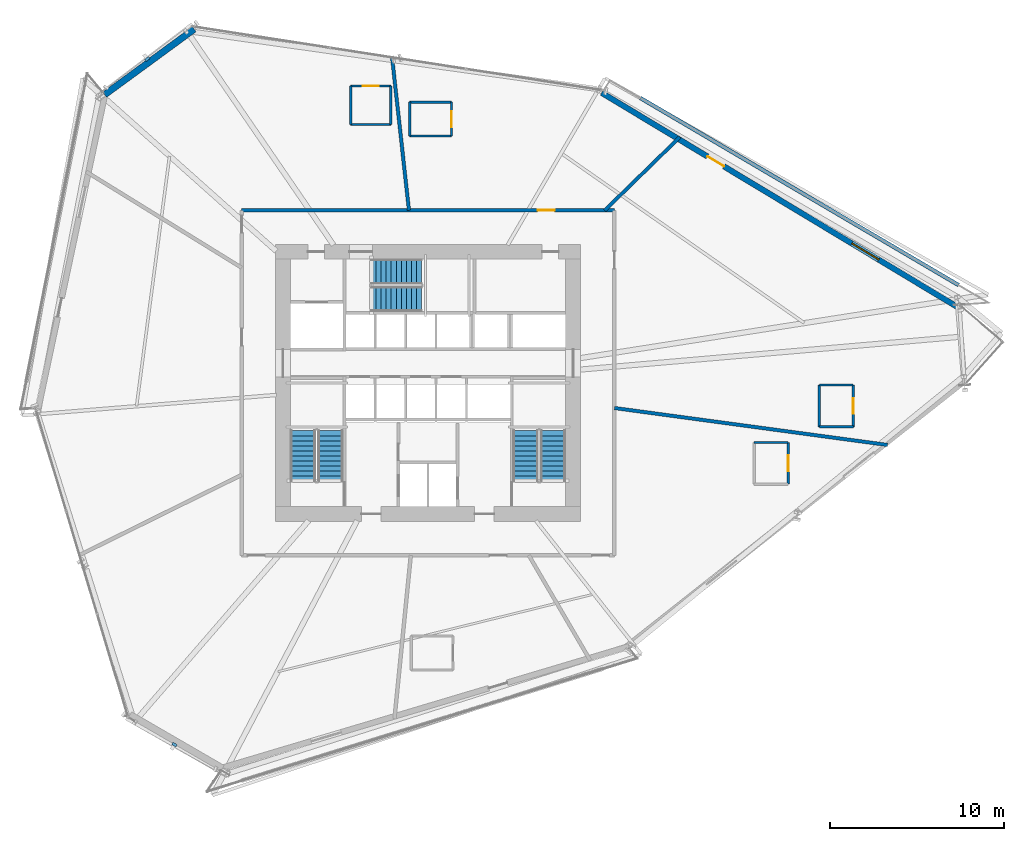
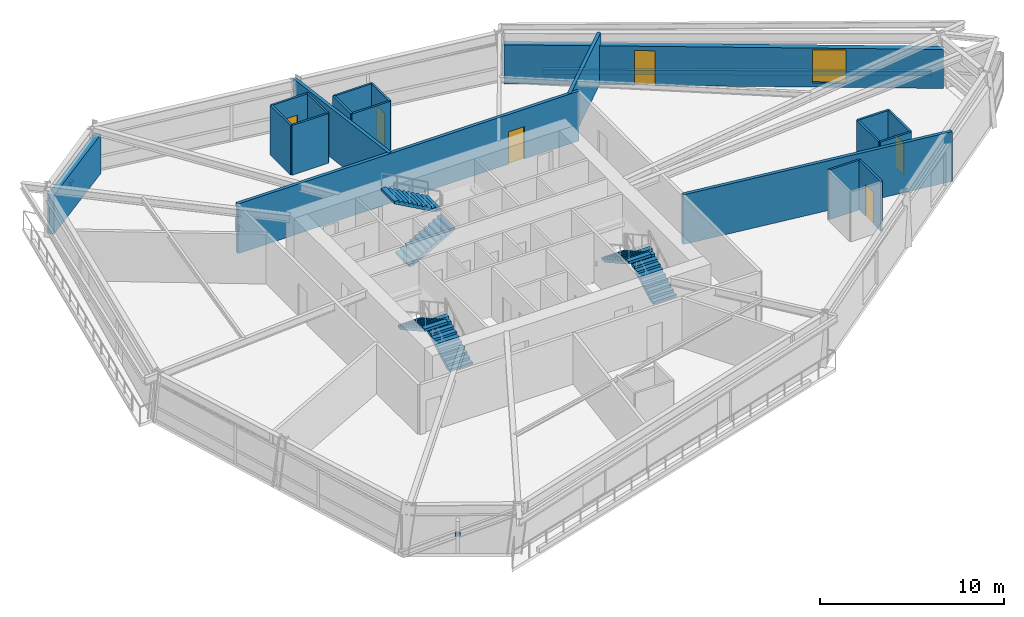
# One storey, part 19 of 22: 21 walls, 6 doors, 6 stair flights, 2 discrete accessories, 1 window, 7 openings, 3 elements without a shape of their own.
"""IFC4 building model written with IfcOpenShell, lengths in metres."""

from ifc_helpers import new_model, si_unit, direction, frame, frame_2d, origin, origin_2d, place, context, subcontext, project, spatial, polyline, rectangle, outline, extrude, source, transform, mapped, material, layer, layer_set, type_object, type_shapes, element, fill, aggregate, save


model = new_model("IFC4")

# Units and contexts
model_context = context("Model", 3, precision=1e-05, world=origin(), true_north=direction((0.0, 1.0)))
body_context = subcontext(model_context, "Body", "Model", "MODEL_VIEW")
ifc_project = project(units=[si_unit("LENGTHUNIT", "METRE"), si_unit("AREAUNIT", "SQUARE_METRE"), si_unit("VOLUMEUNIT", "CUBIC_METRE"), si_unit("PLANEANGLEUNIT", "RADIAN"), si_unit("MASSUNIT", "GRAM", prefix="KILO")], contexts=[model_context])

# Site, building, storey
site_placement = place(None, origin())
site = spatial("IfcSite", under=ifc_project, at=site_placement, CompositionType="ELEMENT")
building_placement = place(site_placement, origin())
building = spatial("IfcBuilding", under=site, at=building_placement, Name="Olszyna Solenne Hotel", CompositionType="ELEMENT")
storey_placement = place(building_placement, frame((0.0, 0.0, 50.60009765625)))
storey = spatial("IfcBuildingStorey", under=building, at=storey_placement, Name="L12", CompositionType="ELEMENT", Elevation=50.60009765625)

# Wall, openings, door, window
ifc_material_1 = material(Name="Precast concrete C45/55", Category="concrete")
ifc_layer_1 = layer(ifc_material_1, 0.320068359375, Name="Precast concrete C45/55")
ifc_layer_set_1 = layer_set([ifc_layer_1], Name="Precast concrete C45/55")
wall_type_1 = type_object("IfcWallType", Name="WL-EX320", PredefinedType="SOLIDWALL", material=ifc_layer_set_1)
wall_1_placement = place(storey_placement, frame((47.967041015625, 43.2451171875, 0.0), z_axis=(0.0, 0.0, 1.0), x_axis=(0.856683150215, -0.515842980119, 0.0)))
wall_1 = element("IfcWall", 1, at=wall_1_placement, inside=storey, type_object=wall_type_1, Name="Exterior terracotta-precast frame wall WL-EX320 EW-L12-07", PredefinedType="SOLIDWALL", context=body_context, shape_type="SweptSolid", body=[
    extrude(rectangle(XDim=23.86669921875, YDim=0.320068359375, at=frame_2d((11.933349609375, 0.0))), origin(), (0.0, 0.0, 1.0), 2.591796875),
])
opening_1_placement = place(wall_1_placement, frame((7.0869140625, 0.0, 0.0)))
opening_1 = element("IfcOpeningElement", 2, at=opening_1_placement, cuts=wall_1, Name="Opening LDG-L12-1", PredefinedType="OPENING", context=body_context, shape_type="SweptSolid", body=[
    extrude(rectangle(XDim=1.10009765625, YDim=2.300048828125, at=frame_2d((0.550048828125, 1.14990234375))), frame((0.0, 0.169921875, 0.0), z_axis=(0.0, -1.0, 0.0), x_axis=(1.0, 0.0, 0.0)), (0.0, 0.0, 1.0), 0.340087890625),
])
opening_2_placement = place(wall_1_placement, frame((16.760986328125, 0.0, 0.27197265625)))
opening_2 = element("IfcOpeningElement", 3, at=opening_2_placement, cuts=wall_1, Name="Opening WN-L12-054", PredefinedType="OPENING", context=body_context, shape_type="SweptSolid", body=[
    extrude(rectangle(XDim=1.800048828125, YDim=2.199951171875, at=frame_2d((0.89990234375, 1.10009765625))), frame((0.0, 0.169921875, 0.0), z_axis=(0.0, -1.0, 0.0), x_axis=(1.0, 0.0, 0.0)), (0.0, 0.0, 1.0), 0.340087890625),
])
ifc_material_2 = material(Name="Anodised bronze aluminium", Category="aluminium")
door_type_1 = type_object("IfcDoorType", Name="DR-LG1", OperationType="NOTDEFINED", PredefinedType="DOOR", material=ifc_material_2)
shared_shape_1 = source(origin(), body_context, "Body", "SweptSolid", [
    extrude(rectangle(XDim=1.10009765625, YDim=2.300048828125, at=frame_2d((0.550048828125, 1.14990234375))), frame((0.0, 0.02490234375, 0.0), z_axis=(0.0, -1.0, 0.0), x_axis=(1.0, 0.0, 0.0)), (0.0, 0.0, 1.0), 0.050048828125),
])
type_shapes(door_type_1, [shared_shape_1])
door_1_placement = place(opening_1_placement, origin())
door_1 = element("IfcDoor", 4, at=door_1_placement, inside=storey, type_object=door_type_1, Name="Exterior loggia balcony door DR-LG1 LDG-L12-1", OperationType="SINGLE_SWING_RIGHT", OverallHeight=2.300048828125, OverallWidth=1.10009765625, PredefinedType="DOOR", context=body_context, shape_type="MappedRepresentation", body=[
    mapped(shared_shape_1, transform((0.0, 0.0, 0.0), x_axis=(1.0, 0.0, 0.0), y_axis=(0.0, 1.0, 0.0), z_axis=(0.0, 0.0, 1.0), scale=1.0)),
])
fill(opening_1, door_1)
ifc_material_3 = material(Name="Low-E triple glazing", Category="glass")
window_type = type_object("IfcWindowType", Name="WN-HT1", PartitioningType="SINGLE_PANEL", PredefinedType="WINDOW", material=ifc_material_3)
shared_shape_2 = source(origin(), body_context, "Body", "SweptSolid", [
    extrude(rectangle(XDim=1.800048828125, YDim=2.199951171875, at=frame_2d((0.89990234375, 1.10009765625))), frame((0.0, 0.030029296875, 0.0), z_axis=(0.0, -1.0, 0.0), x_axis=(1.0, 0.0, 0.0)), (0.0, 0.0, 1.0), 0.06005859375),
])
type_shapes(window_type, [shared_shape_2])
window_placement = place(opening_2_placement, origin())
window = element("IfcWindow", 5, at=window_placement, inside=storey, type_object=window_type, Name="Loggia room window WN-HT1 WN-L12-054", OverallHeight=2.199951171875, OverallWidth=1.800048828125, PartitioningType="SINGLE_PANEL", PredefinedType="WINDOW", context=body_context, shape_type="MappedRepresentation", body=[
    mapped(shared_shape_2, transform((0.0, 0.0, 0.0), x_axis=(1.0, 0.0, 0.0), y_axis=(0.0, 1.0, 0.0), z_axis=(0.0, 0.0, 1.0), scale=1.0)),
])
fill(opening_2, window)

# Walls
ifc_material_4 = material(Name="Terracotta cladding on precast concrete C45/55", Category="masonry")
ifc_layer_2 = layer(ifc_material_4, 0.3798828125, Name="Terracotta cladding on precast concrete C45/55")
ifc_layer_set_2 = layer_set([ifc_layer_2], Name="Terracotta cladding on precast concrete C45/55")
wall_type_2 = type_object("IfcWallType", Name="WL-EX380", PredefinedType="SOLIDWALL", material=ifc_layer_set_2)
wall_2_placement = place(storey_placement, frame((19.44140625, 43.136474609375, 0.0), z_axis=(0.0, 0.0, 1.0), x_axis=(0.806936258976, 0.590638530702, 0.0)))
element("IfcWall", 6, at=wall_2_placement, inside=storey, type_object=wall_type_2, Name="Exterior terracotta-precast frame wall WL-EX380 EW-L12-05", PredefinedType="SOLIDWALL", context=body_context, shape_type="SweptSolid", body=[
    extrude(rectangle(XDim=6.365966796875, YDim=0.3798828125, at=frame_2d((3.18310546875, 0.0))), origin(), (0.0, 0.0, 1.0), 2.591796875),
])
ifc_layer_3 = layer(ifc_material_1, 0.219970703125, Name="Precast concrete C45/55")
ifc_layer_set_3 = layer_set([ifc_layer_3], Name="Precast concrete C45/55")
wall_type_3 = type_object("IfcWallType", Name="WL-PR220", PredefinedType="PARAPET", material=ifc_layer_set_3)
wall_3_placement = place(storey_placement, frame((68.44482421875, 32.2119140625, 0.0), z_axis=(0.0, 0.0, 1.0), x_axis=(-0.862047097778, 0.506828177209, 0.0)))
element("IfcWall", 7, at=wall_3_placement, inside=storey, type_object=wall_type_3, Name="Loggia balcony precast kerb PR-L12-LG1", PredefinedType="PARAPET", context=body_context, shape_type="SweptSolid", body=[
    extrude(rectangle(XDim=21.178955078125, YDim=0.219970703125, at=frame_2d((10.58935546875, 0.0))), origin(), (0.0, 0.0, 1.0), 0.2998046875),
])

# Wall, opening, door
ifc_material_5 = material(Name="Acoustic gypsum partition", Category="gypsum")
ifc_layer_4 = layer(ifc_material_5, 0.125, Name="Acoustic gypsum partition")
ifc_layer_set_4 = layer_set([ifc_layer_4], Name="Acoustic gypsum partition")
wall_type_4 = type_object("IfcWallType", Name="WL-PT125", PredefinedType="PARTITIONING", material=ifc_layer_set_4)
wall_4_placement = place(storey_placement, frame((58.672119140625, 20.782958984375, 0.0), z_axis=(0.0, 0.0, 1.0), x_axis=(0.0, 1.0, 0.0)))
wall_4 = element("IfcWall", 8, at=wall_4_placement, inside=storey, type_object=wall_type_4, Name="Interior acoustic partition WL-PT125 PW-L12-0657", PredefinedType="PARTITIONING", context=body_context, shape_type="SweptSolid", body=[
    extrude(rectangle(XDim=2.400146484375, YDim=0.125, at=frame_2d((1.2001953125, 0.0))), origin(), (0.0, 0.0, 1.0), 3.2998046875),
])
opening_3_placement = place(wall_4_placement, frame((0.75, 0.0, 0.0)))
opening_3 = element("IfcOpeningElement", 9, at=opening_3_placement, cuts=wall_4, Name="Opening DR-L12-0142", PredefinedType="OPENING", context=body_context, shape_type="SweptSolid", body=[
    extrude(rectangle(XDim=0.89990234375, YDim=2.10009765625, at=frame_2d((0.449951171875, 1.050048828125))), frame((0.0, 0.072509765625, 0.0), z_axis=(0.0, -1.0, 0.0), x_axis=(1.0, 0.0, 0.0)), (0.0, 0.0, 1.0), 0.14501953125),
])
ifc_material_6 = material(Name="Timber hardwood", Category="wood")
door_type_2 = type_object("IfcDoorType", Name="DR-WC1", OperationType="NOTDEFINED", PredefinedType="DOOR", material=ifc_material_6)
shared_shape_3 = source(origin(), body_context, "Body", "SweptSolid", [
    extrude(rectangle(XDim=0.89990234375, YDim=2.10009765625, at=frame_2d((0.449951171875, 1.050048828125))), frame((0.0, 0.02490234375, 0.0), z_axis=(0.0, -1.0, 0.0), x_axis=(1.0, 0.0, 0.0)), (0.0, 0.0, 1.0), 0.050048828125),
])
type_shapes(door_type_2, [shared_shape_3])
door_2_placement = place(opening_3_placement, origin())
door_2 = element("IfcDoor", 10, at=door_2_placement, inside=storey, type_object=door_type_2, Name="En-Suite Bathroom Door DR-L12-0142", OperationType="SINGLE_SWING_LEFT", OverallHeight=2.10009765625, OverallWidth=0.89990234375, PredefinedType="DOOR", context=body_context, shape_type="MappedRepresentation", body=[
    mapped(shared_shape_3, transform((0.0, 0.0, 0.0), x_axis=(1.0, 0.0, 0.0), y_axis=(0.0, 1.0, 0.0), z_axis=(0.0, 0.0, 1.0), scale=1.0)),
])
fill(opening_3, door_2)

# Wall
wall_5_placement = place(storey_placement, frame((58.672119140625, 23.18310546875, 0.0), z_axis=(0.0, 0.0, 1.0), x_axis=(-1.0, 0.0, 0.0)))
element("IfcWall", 11, at=wall_5_placement, inside=storey, type_object=wall_type_4, Name="Interior acoustic partition WL-PT125 PW-L12-0658", PredefinedType="PARTITIONING", context=body_context, shape_type="SweptSolid", body=[
    extrude(rectangle(XDim=1.9501953125, YDim=0.125, at=frame_2d((0.97509765625, 0.0))), origin(), (0.0, 0.0, 1.0), 3.2998046875),
])

# Wall, opening, door
wall_6_placement = place(storey_placement, frame((62.404052734375, 24.076904296875, 0.0), z_axis=(0.0, 0.0, 1.0), x_axis=(0.0, 1.0, 0.0)))
wall_6 = element("IfcWall", 12, at=wall_6_placement, inside=storey, type_object=wall_type_4, Name="Interior acoustic partition WL-PT125 PW-L12-0661", PredefinedType="PARTITIONING", context=body_context, shape_type="SweptSolid", body=[
    extrude(rectangle(XDim=2.400146484375, YDim=0.125, at=frame_2d((1.2001953125, 0.0))), origin(), (0.0, 0.0, 1.0), 3.2998046875),
])
opening_4_placement = place(wall_6_placement, frame((0.75, 0.0, 0.0)))
opening_4 = element("IfcOpeningElement", 13, at=opening_4_placement, cuts=wall_6, Name="Opening DR-L12-0143", PredefinedType="OPENING", context=body_context, shape_type="SweptSolid", body=[
    extrude(rectangle(XDim=0.89990234375, YDim=2.10009765625, at=frame_2d((0.449951171875, 1.050048828125))), frame((0.0, 0.072509765625, 0.0), z_axis=(0.0, -1.0, 0.0), x_axis=(1.0, 0.0, 0.0)), (0.0, 0.0, 1.0), 0.14501953125),
])
door_3_placement = place(opening_4_placement, origin())
door_3 = element("IfcDoor", 14, at=door_3_placement, inside=storey, type_object=door_type_2, Name="En-Suite Bathroom Door DR-L12-0143", OperationType="SINGLE_SWING_LEFT", OverallHeight=2.10009765625, OverallWidth=0.89990234375, PredefinedType="DOOR", context=body_context, shape_type="MappedRepresentation", body=[
    mapped(shared_shape_3, transform((0.0, 0.0, 0.0), x_axis=(1.0, 0.0, 0.0), y_axis=(0.0, 1.0, 0.0), z_axis=(0.0, 0.0, 1.0), scale=1.0)),
])
fill(opening_4, door_3)

# Walls
wall_7_placement = place(storey_placement, frame((62.404052734375, 26.47705078125, 0.0), z_axis=(0.0, 0.0, 1.0), x_axis=(-1.0, 0.0, 0.0)))
element("IfcWall", 15, at=wall_7_placement, inside=storey, type_object=wall_type_4, Name="Interior acoustic partition WL-PT125 PW-L12-0662", PredefinedType="PARTITIONING", context=body_context, shape_type="SweptSolid", body=[
    extrude(rectangle(XDim=1.949951171875, YDim=0.125, at=frame_2d((0.97509765625, 0.0))), origin(), (0.0, 0.0, 1.0), 3.2998046875),
])
wall_8_placement = place(storey_placement, frame((60.4541015625, 26.47705078125, 0.0), z_axis=(0.0, 0.0, 1.0), x_axis=(0.0, -1.0, 0.0)))
element("IfcWall", 16, at=wall_8_placement, inside=storey, type_object=wall_type_4, Name="Interior acoustic partition WL-PT125 PW-L12-0663", PredefinedType="PARTITIONING", context=body_context, shape_type="SweptSolid", body=[
    extrude(rectangle(XDim=2.400146484375, YDim=0.125, at=frame_2d((1.2001953125, 0.0))), origin(), (0.0, 0.0, 1.0), 3.2998046875),
])
wall_9_placement = place(storey_placement, frame((60.4541015625, 24.076904296875, 0.0), z_axis=(0.0, 0.0, 1.0), x_axis=(1.0, 0.0, 0.0)))
element("IfcWall", 17, at=wall_9_placement, inside=storey, type_object=wall_type_4, Name="Interior acoustic partition WL-PT125 PW-L12-0664", PredefinedType="PARTITIONING", context=body_context, shape_type="SweptSolid", body=[
    extrude(rectangle(XDim=1.949951171875, YDim=0.125, at=frame_2d((0.97509765625, 0.0))), origin(), (0.0, 0.0, 1.0), 3.2998046875),
])

# Wall, opening, door
wall_10_placement = place(storey_placement, frame((39.35107421875, 40.756103515625, 0.0), z_axis=(0.0, 0.0, 1.0), x_axis=(0.0, 1.0, 0.0)))
wall_10 = element("IfcWall", 18, at=wall_10_placement, inside=storey, type_object=wall_type_4, Name="Interior acoustic partition WL-PT125 PW-L12-0665", PredefinedType="PARTITIONING", context=body_context, shape_type="SweptSolid", body=[
    extrude(rectangle(XDim=1.949951171875, YDim=0.125, at=frame_2d((0.97509765625, 0.0))), origin(), (0.0, 0.0, 1.0), 3.2998046875),
])
opening_5_placement = place(wall_10_placement, frame((0.52490234375, 0.0, 0.0)))
opening_5 = element("IfcOpeningElement", 19, at=opening_5_placement, cuts=wall_10, Name="Opening DR-L12-0144", PredefinedType="OPENING", context=body_context, shape_type="SweptSolid", body=[
    extrude(rectangle(XDim=0.89990234375, YDim=2.10009765625, at=frame_2d((0.449951171875, 1.050048828125))), frame((0.0, 0.072509765625, 0.0), z_axis=(0.0, -1.0, 0.0), x_axis=(1.0, 0.0, 0.0)), (0.0, 0.0, 1.0), 0.14501953125),
])
door_4_placement = place(opening_5_placement, origin())
door_4 = element("IfcDoor", 20, at=door_4_placement, inside=storey, type_object=door_type_2, Name="En-Suite Bathroom Door DR-L12-0144", OperationType="SINGLE_SWING_LEFT", OverallHeight=2.10009765625, OverallWidth=0.89990234375, PredefinedType="DOOR", context=body_context, shape_type="MappedRepresentation", body=[
    mapped(shared_shape_3, transform((0.0, 0.0, 0.0), x_axis=(1.0, 0.0, 0.0), y_axis=(0.0, 1.0, 0.0), z_axis=(0.0, 0.0, 1.0), scale=1.0)),
])
fill(opening_5, door_4)

# Walls
wall_11_placement = place(storey_placement, frame((39.35107421875, 42.7060546875, 0.0), z_axis=(0.0, 0.0, 1.0), x_axis=(-1.0, 0.0, 0.0)))
element("IfcWall", 21, at=wall_11_placement, inside=storey, type_object=wall_type_4, Name="Interior acoustic partition WL-PT125 PW-L12-0666", PredefinedType="PARTITIONING", context=body_context, shape_type="SweptSolid", body=[
    extrude(rectangle(XDim=2.400146484375, YDim=0.125, at=frame_2d((1.2001953125, 0.0))), origin(), (0.0, 0.0, 1.0), 3.2998046875),
])
wall_12_placement = place(storey_placement, frame((36.950927734375, 42.7060546875, 0.0), z_axis=(0.0, 0.0, 1.0), x_axis=(0.0, -1.0, 0.0)))
element("IfcWall", 22, at=wall_12_placement, inside=storey, type_object=wall_type_4, Name="Interior acoustic partition WL-PT125 PW-L12-0667", PredefinedType="PARTITIONING", context=body_context, shape_type="SweptSolid", body=[
    extrude(rectangle(XDim=1.949951171875, YDim=0.125, at=frame_2d((0.97509765625, 0.0))), origin(), (0.0, 0.0, 1.0), 3.2998046875),
])
wall_13_placement = place(storey_placement, frame((36.950927734375, 40.756103515625, 0.0), z_axis=(0.0, 0.0, 1.0), x_axis=(1.0, 0.0, 0.0)))
element("IfcWall", 23, at=wall_13_placement, inside=storey, type_object=wall_type_4, Name="Interior acoustic partition WL-PT125 PW-L12-0668", PredefinedType="PARTITIONING", context=body_context, shape_type="SweptSolid", body=[
    extrude(rectangle(XDim=2.400146484375, YDim=0.125, at=frame_2d((1.2001953125, 0.0))), origin(), (0.0, 0.0, 1.0), 3.2998046875),
])
wall_14_placement = place(storey_placement, frame((35.864013671875, 41.430908203125, 0.0), z_axis=(0.0, 0.0, 1.0), x_axis=(0.0, 1.0, 0.0)))
element("IfcWall", 24, at=wall_14_placement, inside=storey, type_object=wall_type_4, Name="Interior acoustic partition WL-PT125 PW-L12-0669", PredefinedType="PARTITIONING", context=body_context, shape_type="SweptSolid", body=[
    extrude(rectangle(XDim=2.2001953125, YDim=0.125, at=frame_2d((1.10009765625, 0.0))), origin(), (0.0, 0.0, 1.0), 3.2998046875),
])

# Wall, opening, door
wall_15_placement = place(storey_placement, frame((35.864013671875, 43.631103515625, 0.0), z_axis=(0.0, 0.0, 1.0), x_axis=(-1.0, 0.0, 0.0)))
wall_15 = element("IfcWall", 25, at=wall_15_placement, inside=storey, type_object=wall_type_4, Name="Interior acoustic partition WL-PT125 PW-L12-0670", PredefinedType="PARTITIONING", context=body_context, shape_type="SweptSolid", body=[
    extrude(rectangle(XDim=2.300048828125, YDim=0.125, at=frame_2d((1.14990234375, 0.0))), origin(), (0.0, 0.0, 1.0), 3.2998046875),
])
opening_6_placement = place(wall_15_placement, frame((0.699951171875, 0.0, 0.0)))
opening_6 = element("IfcOpeningElement", 26, at=opening_6_placement, cuts=wall_15, Name="Opening DR-L12-0145", PredefinedType="OPENING", context=body_context, shape_type="SweptSolid", body=[
    extrude(rectangle(XDim=0.89990234375, YDim=2.10009765625, at=frame_2d((0.449951171875, 1.050048828125))), frame((0.0, 0.072509765625, 0.0), z_axis=(0.0, -1.0, 0.0), x_axis=(1.0, 0.0, 0.0)), (0.0, 0.0, 1.0), 0.14501953125),
])
door_5_placement = place(opening_6_placement, origin())
door_5 = element("IfcDoor", 27, at=door_5_placement, inside=storey, type_object=door_type_2, Name="En-Suite Bathroom Door DR-L12-0145", OperationType="SINGLE_SWING_RIGHT", OverallHeight=2.10009765625, OverallWidth=0.89990234375, PredefinedType="DOOR", context=body_context, shape_type="MappedRepresentation", body=[
    mapped(shared_shape_3, transform((0.0, 0.0, 0.0), x_axis=(1.0, 0.0, 0.0), y_axis=(0.0, 1.0, 0.0), z_axis=(0.0, 0.0, 1.0), scale=1.0)),
])
fill(opening_6, door_5)

# Walls
wall_16_placement = place(storey_placement, frame((33.56396484375, 43.631103515625, 0.0), z_axis=(0.0, 0.0, 1.0), x_axis=(0.0, -1.0, 0.0)))
element("IfcWall", 28, at=wall_16_placement, inside=storey, type_object=wall_type_4, Name="Interior acoustic partition WL-PT125 PW-L12-0671", PredefinedType="PARTITIONING", context=body_context, shape_type="SweptSolid", body=[
    extrude(rectangle(XDim=2.2001953125, YDim=0.125, at=frame_2d((1.10009765625, 0.0))), origin(), (0.0, 0.0, 1.0), 3.2998046875),
])
wall_17_placement = place(storey_placement, frame((33.56396484375, 41.430908203125, 0.0), z_axis=(0.0, 0.0, 1.0), x_axis=(1.0, 0.0, 0.0)))
element("IfcWall", 29, at=wall_17_placement, inside=storey, type_object=wall_type_4, Name="Interior acoustic partition WL-PT125 PW-L12-0672", PredefinedType="PARTITIONING", context=body_context, shape_type="SweptSolid", body=[
    extrude(rectangle(XDim=2.300048828125, YDim=0.125, at=frame_2d((1.14990234375, 0.0))), origin(), (0.0, 0.0, 1.0), 3.2998046875),
])
ifc_layer_5 = layer(ifc_material_5, 0.199951171875, Name="Acoustic gypsum partition")
ifc_layer_set_5 = layer_set([ifc_layer_5], Name="Acoustic gypsum partition")
wall_type_5 = type_object("IfcWallType", Name="WL-PT200", PredefinedType="PARTITIONING", material=ifc_layer_set_5)
wall_18_placement = place(storey_placement, frame((48.699951171875, 25.1533203125, 0.0), z_axis=(0.0, 0.0, 1.0), x_axis=(0.990982571001, -0.133990835404, 0.0)))
element("IfcWall", 30, at=wall_18_placement, inside=storey, type_object=wall_type_5, Name="Interior acoustic partition WL-PT200 PW-L12-0651", PredefinedType="PARTITIONING", context=body_context, shape_type="SweptSolid", body=[
    extrude(rectangle(XDim=15.813720703125, YDim=0.199951171875, at=frame_2d((7.90673828125, 0.0))), origin(), (0.0, 0.0, 1.0), 3.2998046875),
])
wall_19_placement = place(storey_placement, frame((48.14501953125, 36.5, 0.0), z_axis=(0.0, 0.0, 1.0), x_axis=(0.715663611946, 0.698445126361, 0.0)))
element("IfcWall", 31, at=wall_19_placement, inside=storey, type_object=wall_type_5, Name="Interior acoustic partition WL-PT200 PW-L12-0652", PredefinedType="PARTITIONING", context=body_context, shape_type="SweptSolid", body=[
    extrude(rectangle(XDim=6.011962890625, YDim=0.199951171875, at=frame_2d((3.005859375, 0.0))), origin(), (0.0, 0.0, 1.0), 3.2998046875),
])
wall_20_placement = place(storey_placement, frame((36.906982421875, 36.5, 0.0), z_axis=(0.0, 0.0, 1.0), x_axis=(-0.109739318289, 0.993960402643, 0.0)))
element("IfcWall", 32, at=wall_20_placement, inside=storey, type_object=wall_type_5, Name="Interior acoustic partition WL-PT200 PW-L12-0653", PredefinedType="PARTITIONING", context=body_context, shape_type="SweptSolid", body=[
    extrude(rectangle(XDim=8.78759765625, YDim=0.199951171875, at=frame_2d((4.393798828125, 0.0))), origin(), (0.0, 0.0, 1.0), 3.2998046875),
])

# Wall, opening, door
wall_21_placement = place(storey_placement, frame((27.300048828125, 36.5, 0.0), z_axis=(0.0, 0.0, 1.0), x_axis=(1.0, 0.0, 0.0)))
wall_21 = element("IfcWall", 33, at=wall_21_placement, inside=storey, type_object=wall_type_5, Name="Interior acoustic partition WL-PT200 PW-L12-0679", PredefinedType="PARTITIONING", context=body_context, shape_type="SweptSolid", body=[
    extrude(rectangle(XDim=21.39990234375, YDim=0.199951171875, at=frame_2d((10.699951171875, 0.0))), origin(), (0.0, 0.0, 1.0), 3.2998046875),
])
opening_7_placement = place(wall_21_placement, frame((16.991943359375, 0.0, 0.0)))
opening_7 = element("IfcOpeningElement", 34, at=opening_7_placement, cuts=wall_21, Name="Opening DR-L12-0152", PredefinedType="OPENING", context=body_context, shape_type="SweptSolid", body=[
    extrude(rectangle(XDim=0.97998046875, YDim=2.14990234375, at=frame_2d((0.489990234375, 1.074951171875))), frame((0.0, 0.10986328125, 0.0), z_axis=(0.0, -1.0, 0.0), x_axis=(1.0, 0.0, 0.0)), (0.0, 0.0, 1.0), 0.219970703125),
])
door_type_3 = type_object("IfcDoorType", Name="DR-RM1", OperationType="NOTDEFINED", PredefinedType="DOOR", material=ifc_material_6)
shared_shape_4 = source(origin(), body_context, "Body", "SweptSolid", [
    extrude(rectangle(XDim=0.97998046875, YDim=2.14990234375, at=frame_2d((0.489990234375, 1.074951171875))), frame((0.0, 0.02490234375, 0.0), z_axis=(0.0, -1.0, 0.0), x_axis=(1.0, 0.0, 0.0)), (0.0, 0.0, 1.0), 0.050048828125),
])
type_shapes(door_type_3, [shared_shape_4])
door_6_placement = place(opening_7_placement, origin())
door_6 = element("IfcDoor", 35, at=door_6_placement, inside=storey, type_object=door_type_3, Name="Premier King Suite Entrance Door DR-L12-0152", OperationType="SINGLE_SWING_LEFT", OverallHeight=2.14990234375, OverallWidth=0.97998046875, PredefinedType="DOOR", context=body_context, shape_type="MappedRepresentation", body=[
    mapped(shared_shape_4, transform((0.0, 0.0, 0.0), x_axis=(1.0, 0.0, 0.0), y_axis=(0.0, 1.0, 0.0), z_axis=(0.0, 0.0, 1.0), scale=1.0)),
])
fill(opening_7, door_6)

# Stair, stair flights
ifc_material_7 = material(Name="Concrete C40/50", Category="concrete")
stair_type = type_object("IfcStairType", Name="STR-C1", PredefinedType="TWO_QUARTER_WINDING_STAIR", material=ifc_material_7)
stair_1_placement = place(storey_placement, origin())
stair_1 = element("IfcStair", 36, at=stair_1_placement, inside=storey, type_object=stair_type, Name="L12 ST1", PredefinedType="TWO_QUARTER_WINDING_STAIR")
stair_flight_type = type_object("IfcStairFlightType", Name="FLT-C1", PredefinedType="STRAIGHT", material=ifc_material_7)
stair_flight_1_placement = place(storey_placement, frame((32.39501953125, 20.949951171875, 0.0), z_axis=(0.0, 0.0, 1.0), x_axis=(0.0, 1.0, 0.0)))
stair_flight_1 = element("IfcStairFlight", 37, at=stair_flight_1_placement, type_object=stair_flight_type, Name="ST1 flight 1", NumberOfRisers=11, NumberOfTreads=10, PredefinedType="STRAIGHT", RiserHeight=0.161363636, TreadLength=0.29, context=body_context, shape_type="SweptSolid", body=[
    extrude(outline(polyline([(0.0, 0.0), (0.0, 0.161376953125), (0.2900390625, 0.161376953125), (0.2900390625, 0.32275390625), (0.580078125, 0.32275390625), (0.580078125, 0.484130859375), (0.8701171875, 0.484130859375), (0.8701171875, 0.6455078125), (1.159912109375, 0.6455078125), (1.159912109375, 0.806884765625), (1.449951171875, 0.806884765625), (1.449951171875, 0.96826171875), (1.739990234375, 0.96826171875), (1.739990234375, 1.129638671875), (2.030029296875, 1.129638671875), (2.030029296875, 1.291015625), (2.320068359375, 1.291015625), (2.320068359375, 1.452392578125), (2.610107421875, 1.452392578125), (2.610107421875, 1.613525390625), (2.89990234375, 1.613525390625), (2.89990234375, 1.77490234375), (2.89990234375, 1.442138671875), (0.308349609375, 0.0), (0.0, 0.0)])), frame((0.0, 0.72509765625, 0.0), z_axis=(0.0, -1.0, 0.0), x_axis=(1.0, 0.0, 0.0)), (0.0, 0.0, 1.0), 1.449951171875),
])
stair_flight_2_placement = place(storey_placement, frame((30.824951171875, 23.85009765625, 1.77490234375), z_axis=(0.0, 0.0, 1.0), x_axis=(0.0, -1.0, 0.0)))
stair_flight_2 = element("IfcStairFlight", 38, at=stair_flight_2_placement, type_object=stair_flight_type, Name="ST1 flight 2", NumberOfRisers=11, NumberOfTreads=10, PredefinedType="STRAIGHT", RiserHeight=0.161363636, TreadLength=0.29, context=body_context, shape_type="SweptSolid", body=[
    extrude(outline(polyline([(0.0, 0.0), (0.0, 0.161376953125), (0.2900390625, 0.161376953125), (0.2900390625, 0.32275390625), (0.580078125, 0.32275390625), (0.580078125, 0.484130859375), (0.8701171875, 0.484130859375), (0.8701171875, 0.6455078125), (1.159912109375, 0.6455078125), (1.159912109375, 0.806884765625), (1.449951171875, 0.806884765625), (1.449951171875, 0.96826171875), (1.739990234375, 0.96826171875), (1.739990234375, 1.129638671875), (2.030029296875, 1.129638671875), (2.030029296875, 1.291015625), (2.320068359375, 1.291015625), (2.320068359375, 1.452392578125), (2.610107421875, 1.452392578125), (2.610107421875, 1.613525390625), (2.89990234375, 1.613525390625), (2.89990234375, 1.77490234375), (2.89990234375, 1.442138671875), (0.308349609375, 0.0), (0.0, 0.0)])), frame((0.0, 0.72509765625, 0.0), z_axis=(0.0, -1.0, 0.0), x_axis=(1.0, 0.0, 0.0)), (0.0, 0.0, 1.0), 1.449951171875),
])
aggregate(stair_1, [stair_flight_1, stair_flight_2])

stair_2_placement = place(storey_placement, origin())
stair_2 = element("IfcStair", 39, at=stair_2_placement, inside=storey, type_object=stair_type, Name="L12 ST2", PredefinedType="TWO_QUARTER_WINDING_STAIR")
stair_flight_3_placement = place(storey_placement, frame((45.175048828125, 20.949951171875, 0.0), z_axis=(0.0, 0.0, 1.0), x_axis=(0.0, 1.0, 0.0)))
stair_flight_3 = element("IfcStairFlight", 40, at=stair_flight_3_placement, type_object=stair_flight_type, Name="ST2 flight 1", NumberOfRisers=11, NumberOfTreads=10, PredefinedType="STRAIGHT", RiserHeight=0.161363636, TreadLength=0.29, context=body_context, shape_type="SweptSolid", body=[
    extrude(outline(polyline([(0.0, 0.0), (0.0, 0.161376953125), (0.2900390625, 0.161376953125), (0.2900390625, 0.32275390625), (0.580078125, 0.32275390625), (0.580078125, 0.484130859375), (0.8701171875, 0.484130859375), (0.8701171875, 0.6455078125), (1.159912109375, 0.6455078125), (1.159912109375, 0.806884765625), (1.449951171875, 0.806884765625), (1.449951171875, 0.96826171875), (1.739990234375, 0.96826171875), (1.739990234375, 1.129638671875), (2.030029296875, 1.129638671875), (2.030029296875, 1.291015625), (2.320068359375, 1.291015625), (2.320068359375, 1.452392578125), (2.610107421875, 1.452392578125), (2.610107421875, 1.613525390625), (2.89990234375, 1.613525390625), (2.89990234375, 1.77490234375), (2.89990234375, 1.442138671875), (0.308349609375, 0.0), (0.0, 0.0)])), frame((0.0, 0.72509765625, 0.0), z_axis=(0.0, -1.0, 0.0), x_axis=(1.0, 0.0, 0.0)), (0.0, 0.0, 1.0), 1.449951171875),
])
stair_flight_4_placement = place(storey_placement, frame((43.60498046875, 23.85009765625, 1.77490234375), z_axis=(0.0, 0.0, 1.0), x_axis=(0.0, -1.0, 0.0)))
stair_flight_4 = element("IfcStairFlight", 41, at=stair_flight_4_placement, type_object=stair_flight_type, Name="ST2 flight 2", NumberOfRisers=11, NumberOfTreads=10, PredefinedType="STRAIGHT", RiserHeight=0.161363636, TreadLength=0.29, context=body_context, shape_type="SweptSolid", body=[
    extrude(outline(polyline([(0.0, 0.0), (0.0, 0.161376953125), (0.2900390625, 0.161376953125), (0.2900390625, 0.32275390625), (0.580078125, 0.32275390625), (0.580078125, 0.484130859375), (0.8701171875, 0.484130859375), (0.8701171875, 0.6455078125), (1.159912109375, 0.6455078125), (1.159912109375, 0.806884765625), (1.449951171875, 0.806884765625), (1.449951171875, 0.96826171875), (1.739990234375, 0.96826171875), (1.739990234375, 1.129638671875), (2.030029296875, 1.129638671875), (2.030029296875, 1.291015625), (2.320068359375, 1.291015625), (2.320068359375, 1.452392578125), (2.610107421875, 1.452392578125), (2.610107421875, 1.613525390625), (2.89990234375, 1.613525390625), (2.89990234375, 1.77490234375), (2.89990234375, 1.442138671875), (0.308349609375, 0.0), (0.0, 0.0)])), frame((0.0, 0.72509765625, 0.0), z_axis=(0.0, -1.0, 0.0), x_axis=(1.0, 0.0, 0.0)), (0.0, 0.0, 1.0), 1.449951171875),
])
aggregate(stair_2, [stair_flight_3, stair_flight_4])

stair_3_placement = place(storey_placement, origin())
stair_3 = element("IfcStair", 42, at=stair_3_placement, inside=storey, type_object=stair_type, Name="L12 ST3", PredefinedType="TWO_QUARTER_WINDING_STAIR")
stair_flight_5_placement = place(storey_placement, frame((34.72998046875, 31.405029296875, 0.0), z_axis=(0.0, 0.0, 1.0), x_axis=(1.0, 0.0, 0.0)))
stair_flight_5 = element("IfcStairFlight", 43, at=stair_flight_5_placement, type_object=stair_flight_type, Name="ST3 flight 1", NumberOfRisers=11, NumberOfTreads=10, PredefinedType="STRAIGHT", RiserHeight=0.161363636, TreadLength=0.29, context=body_context, shape_type="SweptSolid", body=[
    extrude(outline(polyline([(0.0, 0.0), (0.0, 0.161376953125), (0.2900390625, 0.161376953125), (0.2900390625, 0.32275390625), (0.580078125, 0.32275390625), (0.580078125, 0.484130859375), (0.8701171875, 0.484130859375), (0.8701171875, 0.6455078125), (1.159912109375, 0.6455078125), (1.159912109375, 0.806884765625), (1.449951171875, 0.806884765625), (1.449951171875, 0.96826171875), (1.739990234375, 0.96826171875), (1.739990234375, 1.129638671875), (2.030029296875, 1.129638671875), (2.030029296875, 1.291015625), (2.320068359375, 1.291015625), (2.320068359375, 1.452392578125), (2.610107421875, 1.452392578125), (2.610107421875, 1.613525390625), (2.89990234375, 1.613525390625), (2.89990234375, 1.77490234375), (2.89990234375, 1.442138671875), (0.308349609375, 0.0), (0.0, 0.0)])), frame((0.0, 0.72509765625, 0.0), z_axis=(0.0, -1.0, 0.0), x_axis=(1.0, 0.0, 0.0)), (0.0, 0.0, 1.0), 1.449951171875),
])
stair_flight_6_placement = place(storey_placement, frame((37.6298828125, 32.97509765625, 1.77490234375), z_axis=(0.0, 0.0, 1.0), x_axis=(-1.0, 0.0, 0.0)))
stair_flight_6 = element("IfcStairFlight", 44, at=stair_flight_6_placement, type_object=stair_flight_type, Name="ST3 flight 2", NumberOfRisers=11, NumberOfTreads=10, PredefinedType="STRAIGHT", RiserHeight=0.161363636, TreadLength=0.29, context=body_context, shape_type="SweptSolid", body=[
    extrude(outline(polyline([(0.0, 0.0), (0.0, 0.161376953125), (0.2900390625, 0.161376953125), (0.2900390625, 0.32275390625), (0.580078125, 0.32275390625), (0.580078125, 0.484130859375), (0.8701171875, 0.484130859375), (0.8701171875, 0.6455078125), (1.159912109375, 0.6455078125), (1.159912109375, 0.806884765625), (1.449951171875, 0.806884765625), (1.449951171875, 0.96826171875), (1.739990234375, 0.96826171875), (1.739990234375, 1.129638671875), (2.030029296875, 1.129638671875), (2.030029296875, 1.291015625), (2.320068359375, 1.291015625), (2.320068359375, 1.452392578125), (2.610107421875, 1.452392578125), (2.610107421875, 1.613525390625), (2.89990234375, 1.613525390625), (2.89990234375, 1.77490234375), (2.89990234375, 1.442138671875), (0.308349609375, 0.0), (0.0, 0.0)])), frame((0.0, 0.72509765625, 0.0), z_axis=(0.0, -1.0, 0.0), x_axis=(1.0, 0.0, 0.0)), (0.0, 0.0, 1.0), 1.449951171875),
])
aggregate(stair_3, [stair_flight_5, stair_flight_6])

# Discrete accessories
ifc_material_8 = material(Name="Steel S355J2", Category="steel")
discrete_accessory_type = type_object("IfcDiscreteAccessoryType", Name="BRK-01", PredefinedType="BRACKET", material=ifc_material_8)
shared_shape_5 = source(origin(), body_context, "Body", "SweptSolid", [
    extrude(rectangle(XDim=0.280029296875, YDim=0.159912109375, at=origin_2d()), origin(), (0.0, 0.0, 1.0), 0.219970703125),
])
for number, where, z_axis, x_axis, name in (
    (45, (23.448486328125, 5.838134765625, 1.18603515625), (0.0, 0.0, 1.0), (-0.86515142057, 0.501510737159, 0.0), "Facade support bracket BRK-FN-L12-02"),
    (46, (21.888916015625, 45.181884765625, 1.18603515625), (0.0, 0.0, 1.0), (0.806960312144, 0.59060566762, 0.0), "Facade support bracket BRK-FN-L12-05"),
):
    element("IfcDiscreteAccessory", number, at=place(storey_placement, frame(where, z_axis=z_axis, x_axis=x_axis)), inside=storey, type_object=discrete_accessory_type, Name=name, PredefinedType="BRACKET", context=body_context, shape_type="MappedRepresentation", body=[
        mapped(shared_shape_5, transform((0.0, 0.0, 0.0), x_axis=(1.0, 0.0, 0.0), y_axis=(0.0, 1.0, 0.0), z_axis=(0.0, 0.0, 1.0), scale=1.0)),
    ])

save(model, "model.ifc")
